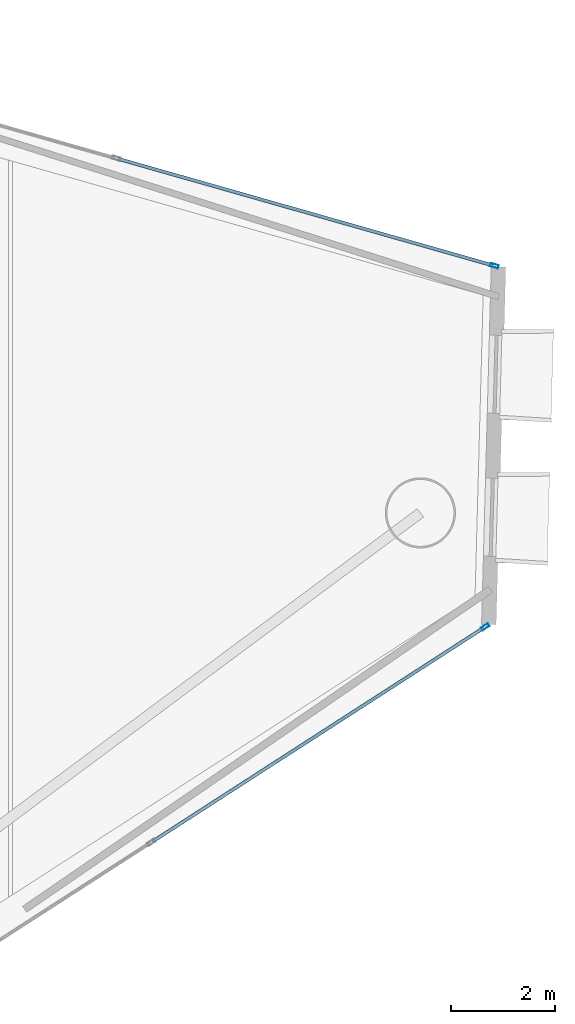
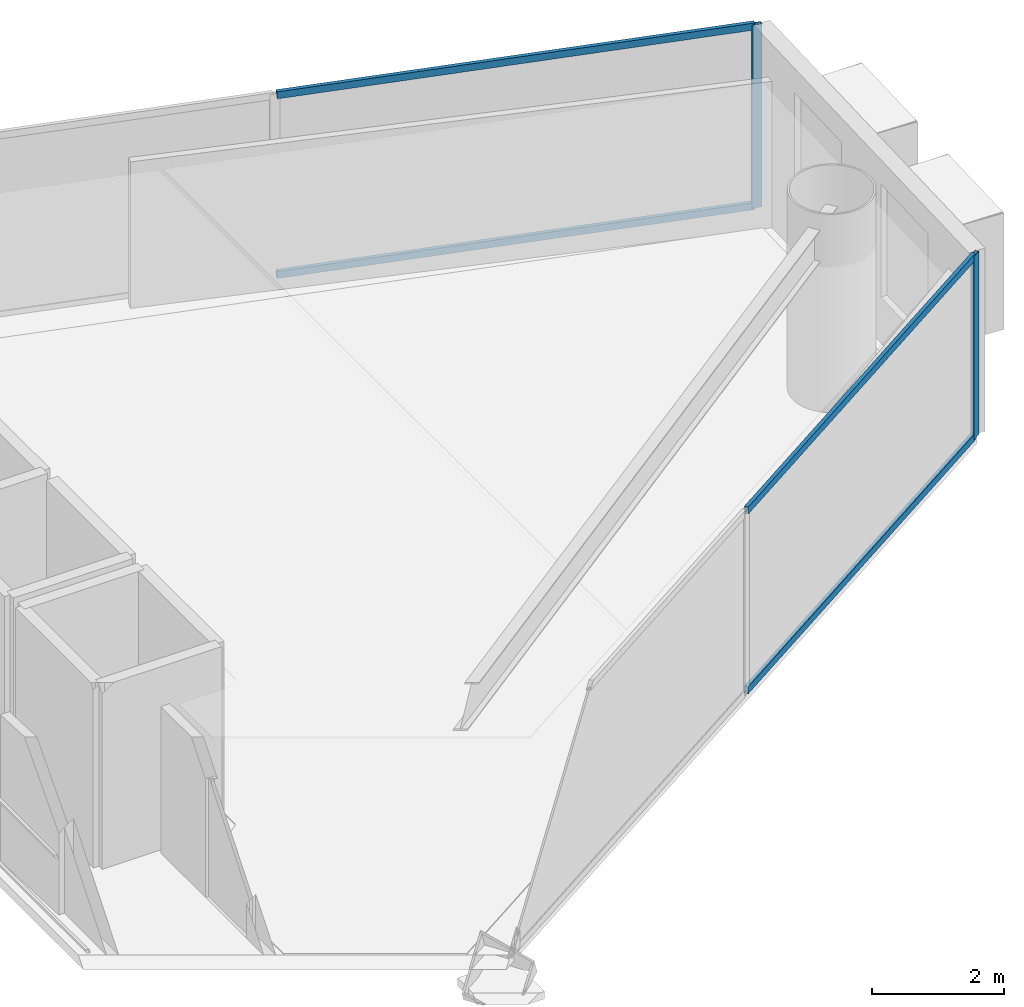
# One storey, part 15 of 22: 6 members, 2 elements without a shape of their own.
"""IFC4 building model written with IfcOpenShell, lengths in metres."""

from ifc_helpers import new_model, si_unit, direction, frame, origin, origin_2d, place, context, subcontext, project, spatial, hollow_rectangle, extrude, material, layer, layer_set, material_profile, profile_set, type_object, element, aggregate, save


model = new_model("IFC4")

# Units and contexts
model_context = context("Model", 3, precision=1e-05, world=origin(), true_north=direction((0.0, 1.0)))
body_context = subcontext(model_context, "Body", "Model", "MODEL_VIEW")
ifc_project = project(units=[si_unit("LENGTHUNIT", "METRE"), si_unit("AREAUNIT", "SQUARE_METRE"), si_unit("VOLUMEUNIT", "CUBIC_METRE"), si_unit("PLANEANGLEUNIT", "RADIAN"), si_unit("MASSUNIT", "GRAM", prefix="KILO")], contexts=[model_context])

# Site, building, storey
site_placement = place(None, origin())
site = spatial("IfcSite", under=ifc_project, at=site_placement, CompositionType="ELEMENT")
building_placement = place(site_placement, origin())
building = spatial("IfcBuilding", under=site, at=building_placement, Name="Qianvela Tower", CompositionType="ELEMENT")
storey_placement = place(building_placement, frame((0.0, 0.0, 180.89990234375)))
storey = spatial("IfcBuildingStorey", under=building, at=storey_placement, Name="L46", CompositionType="ELEMENT", Elevation=180.89990234375)

# Curtain wall, member
ifc_material_1 = material(Name="Anodised Architectural Aluminium and Low-E Glass", Category="aluminium")
ifc_layer = layer(ifc_material_1, 0.169921875)
ifc_layer_set = layer_set([ifc_layer], Name="Anodised Architectural Aluminium and Low-E Glass")
curtain_wall_type = type_object("IfcCurtainWallType", Name="CW-COLIV-Z34", PredefinedType="USERDEFINED", material=ifc_layer_set)
curtain_wall_1_placement = place(storey_placement, origin())
curtain_wall_1 = element("IfcCurtainWall", 1, at=curtain_wall_1_placement, inside=storey, type_object=curtain_wall_type, Name="L46 CW-COLIV-Z34 Curtain Wall 02A", ObjectType="CURTAIN_WALL_SYSTEM", PredefinedType="USERDEFINED")
ifc_material_2 = material(Name="Anodised Architectural Aluminium 6063-T6", Category="aluminium")
ifc_material_profile_1 = material_profile(ifc_material_2, hollow_rectangle(XDim=0.06494140625, YDim=0.159912109375, WallThickness=0.0048828125, at=origin_2d()), Name="ALU-MULL-65x160")
ifc_profile_set_1 = profile_set([ifc_material_profile_1], Name="Anodised Architectural Aluminium 6063-T6")
member_type_1 = type_object("IfcMemberType", Name="CW-COLIV-Z34-MULL", PredefinedType="MULLION", material=ifc_profile_set_1)
member_1_placement = place(storey_placement, frame((58.85546875, 32.36767578125, 0.0), z_axis=(0.0, 0.0, 1.0), x_axis=(-0.273504561082, -0.961870706003, 0.0)))
member_1 = element("IfcMember", 2, at=member_1_placement, type_object=member_type_1, Name="CW-4 mullion 1", PredefinedType="MULLION", context=body_context, shape_type="SweptSolid", body=[
    extrude(hollow_rectangle(XDim=0.06494140625, YDim=0.159912109375, WallThickness=0.0048828125, at=origin_2d()), origin(), (0.0, 0.0, 1.0), 3.400146484375),
])

curtain_wall_2_placement = place(storey_placement, origin())
curtain_wall_2 = element("IfcCurtainWall", 3, at=curtain_wall_2_placement, inside=storey, type_object=curtain_wall_type, Name="L46 CW-COLIV-Z34 Curtain Wall 06C", ObjectType="CURTAIN_WALL_SYSTEM", PredefinedType="USERDEFINED")
member_2_placement = place(storey_placement, frame((58.68017578125, 25.426513671875, 0.0), z_axis=(0.0, 0.0, 1.0), x_axis=(-0.542189956292, 0.840255943922, 0.0)))
member_2 = element("IfcMember", 4, at=member_2_placement, type_object=member_type_1, Name="CW-4 mullion 3", PredefinedType="MULLION", context=body_context, shape_type="SweptSolid", body=[
    extrude(hollow_rectangle(XDim=0.06494140625, YDim=0.159912109375, WallThickness=0.0048828125, at=origin_2d()), origin(), (0.0, 0.0, 1.0), 3.400146484375),
])

# Member
ifc_material_3 = material(Name="Anodised Architectural Aluminium 6063-T6", Category="aluminium")
ifc_material_profile_2 = material_profile(ifc_material_3, hollow_rectangle(XDim=0.06494140625, YDim=0.1298828125, WallThickness=0.00439453125, at=origin_2d()), Name="ALU-TRAN-65x130")
ifc_profile_set_2 = profile_set([ifc_material_profile_2], Name="Anodised Architectural Aluminium 6063-T6")
member_type_2 = type_object("IfcMemberType", Name="CW-COLIV-Z34-TRAN", PredefinedType="USERDEFINED", material=ifc_profile_set_2)
member_3_placement = place(storey_placement, frame((58.82421875, 32.37646484375, 0.03271484375), z_axis=(-0.961867483624, 0.273515893409, 0.0), x_axis=(-0.273515893409, -0.961867483624, 0.0)))
member_3 = element("IfcMember", 5, at=member_3_placement, type_object=member_type_2, Name="CW-4 transom 1.1", ObjectType="TRANSOM", PredefinedType="USERDEFINED", context=body_context, shape_type="SweptSolid", body=[
    extrude(hollow_rectangle(XDim=0.06494140625, YDim=0.1298828125, WallThickness=0.00439453125, at=origin_2d()), origin(), (0.0, 0.0, 1.0), 7.492431640625),
])

member_4_placement = place(storey_placement, frame((58.82421875, 32.37646484375, 3.36767578125), z_axis=(-0.961867483624, 0.273515893409, 0.0), x_axis=(-0.273515893409, -0.961867483624, 0.0)))
member_4 = element("IfcMember", 6, at=member_4_placement, type_object=member_type_2, Name="CW-4 transom 1.2", ObjectType="TRANSOM", PredefinedType="USERDEFINED", context=body_context, shape_type="SweptSolid", body=[
    extrude(hollow_rectangle(XDim=0.06494140625, YDim=0.1298828125, WallThickness=0.00439453125, at=origin_2d()), origin(), (0.0, 0.0, 1.0), 7.492431640625),
])

aggregate(curtain_wall_1, [member_1, member_3, member_4])

member_5_placement = place(storey_placement, frame((52.288330078125, 21.302001953125, 0.03271484375), z_axis=(0.840257808033, 0.542187067385, 0.0), x_axis=(-0.542187067385, 0.840257808033, 0.0)))
member_5 = element("IfcMember", 7, at=member_5_placement, type_object=member_type_2, Name="CW-4 transom 2.1", ObjectType="TRANSOM", PredefinedType="USERDEFINED", context=body_context, shape_type="SweptSolid", body=[
    extrude(hollow_rectangle(XDim=0.06494140625, YDim=0.1298828125, WallThickness=0.00439453125, at=origin_2d()), origin(), (0.0, 0.0, 1.0), 7.57470703125),
])

member_6_placement = place(storey_placement, frame((52.288330078125, 21.302001953125, 3.36767578125), z_axis=(0.840257808033, 0.542187067385, 0.0), x_axis=(-0.542187067385, 0.840257808033, 0.0)))
member_6 = element("IfcMember", 8, at=member_6_placement, type_object=member_type_2, Name="CW-4 transom 2.2", ObjectType="TRANSOM", PredefinedType="USERDEFINED", context=body_context, shape_type="SweptSolid", body=[
    extrude(hollow_rectangle(XDim=0.06494140625, YDim=0.1298828125, WallThickness=0.00439453125, at=origin_2d()), origin(), (0.0, 0.0, 1.0), 7.57470703125),
])

aggregate(curtain_wall_2, [member_2, member_5, member_6])

save(model, "model.ifc")
